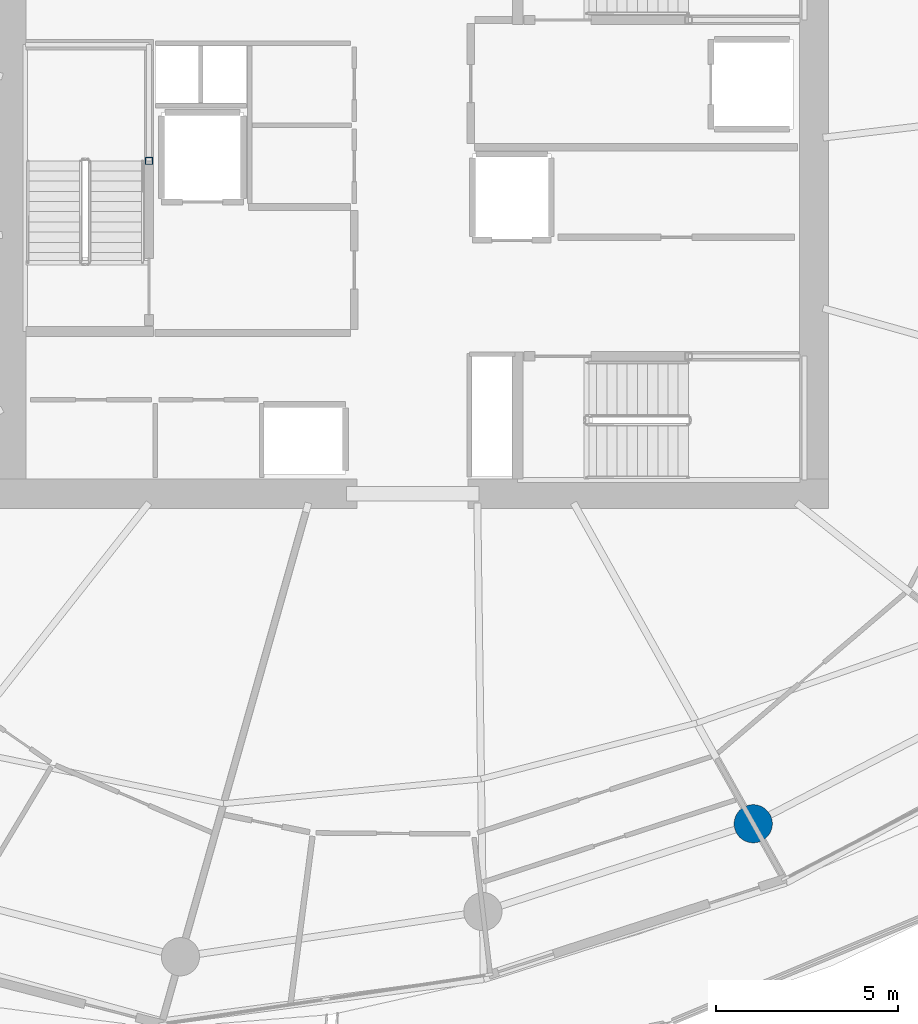
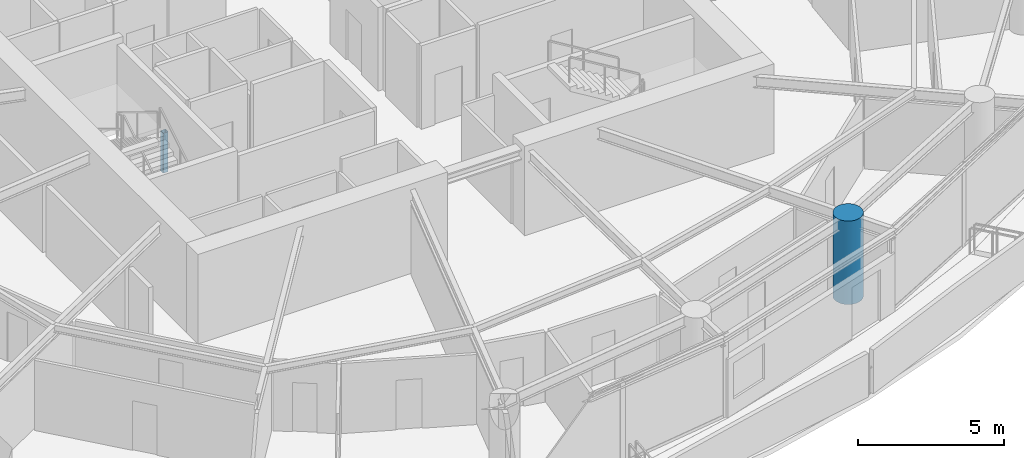
# One storey, part 2 of 20: 2 columns.
"""IFC4 building model written with IfcOpenShell, lengths in metres."""

from ifc_helpers import new_model, si_unit, direction, frame, origin, origin_2d, place, context, subcontext, project, spatial, hollow_rectangle, circle, extrude, material, material_profile, profile_set, type_object, element, save


model = new_model("IFC4")

# Units and contexts
model_context = context("Model", 3, precision=1e-05, world=origin(), true_north=direction((0.0, 1.0)))
body_context = subcontext(model_context, "Body", "Model", "MODEL_VIEW")
ifc_project = project(units=[si_unit("LENGTHUNIT", "METRE"), si_unit("AREAUNIT", "SQUARE_METRE"), si_unit("VOLUMEUNIT", "CUBIC_METRE"), si_unit("PLANEANGLEUNIT", "RADIAN"), si_unit("MASSUNIT", "GRAM", prefix="KILO")], contexts=[model_context])

# Site, building, storey
site_placement = place(None, origin())
site = spatial("IfcSite", under=ifc_project, at=site_placement, CompositionType="ELEMENT")
building_placement = place(site_placement, origin())
building = spatial("IfcBuilding", under=site, at=building_placement, Name="Kazma Halo Residences", CompositionType="ELEMENT")
storey_placement = place(building_placement, frame((0.0, 0.0, 165.300048828125)))
storey = spatial("IfcBuildingStorey", under=building, at=storey_placement, Name="L41", CompositionType="ELEMENT", Elevation=165.300048828125)

# Columns
ifc_material_1 = material(Name="Steel S355", Category="steel")
ifc_material_profile_1 = material_profile(ifc_material_1, hollow_rectangle(XDim=0.199951171875, YDim=0.199951171875, WallThickness=0.010009765625, InnerFilletRadius=0.010009765625, OuterFilletRadius=0.02001953125, at=origin_2d()), Name="SHS200x200x10")
ifc_profile_set_1 = profile_set([ifc_material_profile_1], Name="Steel S355")
column_type_1 = type_object("IfcColumnType", Name="COL-LP-SHS200", PredefinedType="COLUMN", material=ifc_profile_set_1)
column_1_placement = place(storey_placement, frame((41.179931640625, 42.75, 0.0), z_axis=(0.0, 0.0, 1.0), x_axis=(1.0, 0.0, 0.0)))
element("IfcColumn", 1, at=column_1_placement, inside=storey, type_object=column_type_1, Name="L41 ST-01 landing pilaster 1", PredefinedType="COLUMN", context=body_context, shape_type="SweptSolid", body=[
    extrude(hollow_rectangle(XDim=0.199951171875, YDim=0.199951171875, WallThickness=0.010009765625, InnerFilletRadius=0.010009765625, OuterFilletRadius=0.02001953125, at=origin_2d()), origin(), (0.0, 0.0, 1.0), 1.669921875),
])
ifc_material_2 = material(Name="Concrete C80/95", Category="concrete")
ifc_material_profile_2 = material_profile(ifc_material_2, circle(Radius=0.52490234375, at=origin_2d()), Name="CIRC1050")
ifc_profile_set_2 = profile_set([ifc_material_profile_2], Name="Concrete C80/95")
column_type_2 = type_object("IfcColumnType", Name="COL-PERIM-1050", PredefinedType="COLUMN", material=ifc_profile_set_2)
column_2_placement = place(storey_placement, frame((57.781982421875, 24.53271484375, 0.0), z_axis=(0.0, 0.0, 1.0), x_axis=(1.0, 0.0, 0.0)))
element("IfcColumn", 2, at=column_2_placement, inside=storey, type_object=column_type_2, Name="L41 perimeter ring column P13", PredefinedType="COLUMN", context=body_context, shape_type="SweptSolid", body=[
    extrude(circle(Radius=0.52490234375, at=origin_2d()), origin(), (0.0, 0.0, 1.0), 3.5),
])

save(model, "model.ifc")
